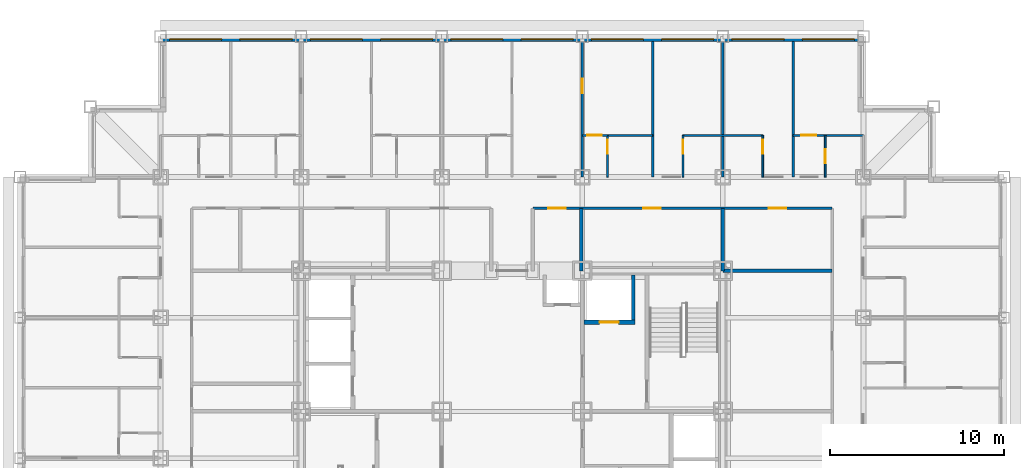
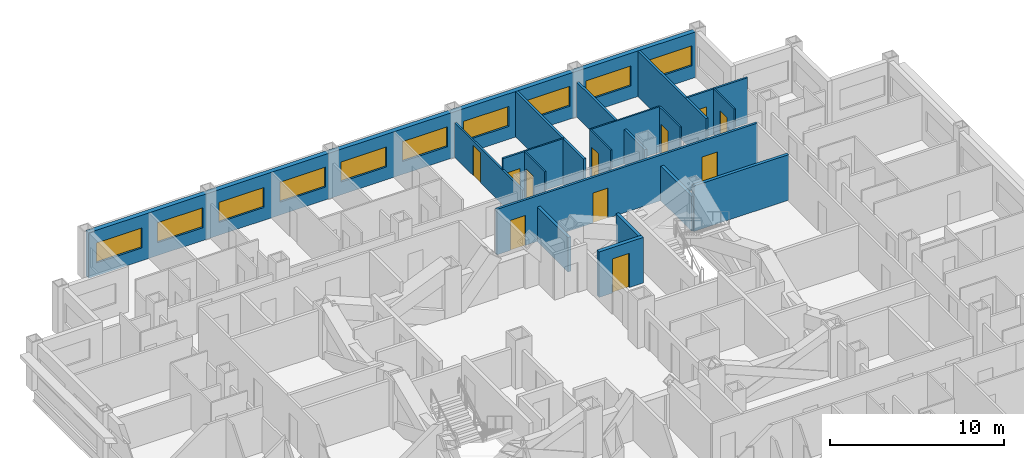
# One storey, part 11 of 14: 19 walls, 11 doors, 10 windows, 21 openings.
"""IFC4 building model written with IfcOpenShell, lengths in metres."""

from ifc_helpers import new_model, si_unit, direction, frame, frame_2d, origin, place, context, subcontext, project, spatial, rectangle, extrude, material, layer, layer_set, type_object, element, fill, save


model = new_model("IFC4")

# Units and contexts
model_context = context("Model", 3, precision=1e-05, world=origin(), true_north=direction((0.0, 1.0)))
body_context = subcontext(model_context, "Body", "Model", "MODEL_VIEW")
ifc_project = project(units=[si_unit("LENGTHUNIT", "METRE"), si_unit("AREAUNIT", "SQUARE_METRE"), si_unit("VOLUMEUNIT", "CUBIC_METRE"), si_unit("PLANEANGLEUNIT", "RADIAN"), si_unit("MASSUNIT", "GRAM", prefix="KILO")], contexts=[model_context])

# Site, building, storey
site_placement = place(None, origin())
site = spatial("IfcSite", under=ifc_project, at=site_placement, CompositionType="ELEMENT")
building_placement = place(site_placement, origin())
building = spatial("IfcBuilding", under=site, at=building_placement, Name="Kopane Lantern Tower", CompositionType="ELEMENT")
storey_placement = place(building_placement, frame((0.0, 0.0, 151.0)))
storey = spatial("IfcBuildingStorey", under=building, at=storey_placement, Name="L39", CompositionType="ELEMENT", Elevation=151.0)

# Wall, opening, door
ifc_material_1 = material(Name="Gypsum board on steel studs", Category="steel")
ifc_layer_1 = layer(ifc_material_1, 0.1201171875)
ifc_layer_set_1 = layer_set([ifc_layer_1], Name="APARTMENT INTERNAL WALL 120")
wall_type_1 = type_object("IfcWallType", Name="APARTMENT INTERNAL WALL 120", PredefinedType="PARTITIONING", material=ifc_layer_set_1)
wall_1_placement = place(storey_placement, frame((32.39990234375, 45.89990234375, 0.0), z_axis=(0.0, 0.0, 1.0), x_axis=(0.0, 1.0, 0.0)))
wall_1 = element("IfcWall", 1, at=wall_1_placement, inside=storey, type_object=wall_type_1, Name="Apartment Internal Wall 120 L39", PredefinedType="PARTITIONING", context=body_context, shape_type="SweptSolid", body=[
    extrude(rectangle(XDim=7.800048828125, YDim=0.1201171875, at=frame_2d((3.89990234375, 0.0))), origin(), (0.0, 0.0, 1.0), 2.420166015625),
])
opening_1_placement = place(wall_1_placement, frame((4.824951171875, 0.0, 0.0)))
opening_1 = element("IfcOpeningElement", 2, at=opening_1_placement, cuts=wall_1, Name="Opening L39-046", PredefinedType="OPENING", context=body_context, shape_type="SweptSolid", body=[
    extrude(rectangle(XDim=0.85009765625, YDim=2.10009765625, at=frame_2d((0.425048828125, 1.050048828125))), frame((0.0, 0.070068359375, 0.0), z_axis=(0.0, -1.0, 0.0), x_axis=(1.0, 0.0, 0.0)), (0.0, 0.0, 1.0), 0.14013671875),
])
ifc_material_2 = material(Name="Timber door set", Category="wood")
door_type_1 = type_object("IfcDoorType", Name="DOOR D4 850x2100", OperationType="SINGLE_SWING_LEFT", PredefinedType="DOOR", material=ifc_material_2)
door_1_placement = place(opening_1_placement, origin())
door_1 = element("IfcDoor", 3, at=door_1_placement, inside=storey, type_object=door_type_1, Name="Door L39-046", OperationType="SINGLE_SWING_RIGHT", OverallHeight=2.10009765625, OverallWidth=0.85009765625, PredefinedType="DOOR", context=body_context, shape_type="SweptSolid", body=[
    extrude(rectangle(XDim=0.85009765625, YDim=2.10009765625, at=frame_2d((0.425048828125, 1.050048828125))), frame((0.0, 0.02490234375, 0.0), z_axis=(0.0, -1.0, 0.0), x_axis=(1.0, 0.0, 0.0)), (0.0, 0.0, 1.0), 0.050048828125),
])
fill(opening_1, door_1)

wall_2_placement = place(storey_placement, frame((44.550048828125, 48.300048828125, 0.0), z_axis=(0.0, 0.0, 1.0), x_axis=(1.0, 0.0, 0.0)))
wall_2 = element("IfcWall", 4, at=wall_2_placement, inside=storey, type_object=wall_type_1, Name="Apartment Internal Wall 120 L39", PredefinedType="PARTITIONING", context=body_context, shape_type="SweptSolid", body=[
    extrude(rectangle(XDim=4.050048828125, YDim=0.1201171875, at=frame_2d((2.02490234375, 0.0))), origin(), (0.0, 0.0, 1.0), 3.18994140625),
])
opening_2_placement = place(wall_2_placement, frame((0.47509765625, 0.0, 0.0)))
opening_2 = element("IfcOpeningElement", 5, at=opening_2_placement, cuts=wall_2, Name="Opening L39-088", PredefinedType="OPENING", context=body_context, shape_type="SweptSolid", body=[
    extrude(rectangle(XDim=0.85009765625, YDim=2.10009765625, at=frame_2d((0.425048828125, 1.050048828125))), frame((0.0, 0.070068359375, 0.0), z_axis=(0.0, -1.0, 0.0), x_axis=(1.0, 0.0, 0.0)), (0.0, 0.0, 1.0), 0.14013671875),
])
door_2_placement = place(opening_2_placement, origin())
door_2 = element("IfcDoor", 6, at=door_2_placement, inside=storey, type_object=door_type_1, Name="Door L39-088", OperationType="SINGLE_SWING_LEFT", OverallHeight=2.10009765625, OverallWidth=0.85009765625, PredefinedType="DOOR", context=body_context, shape_type="SweptSolid", body=[
    extrude(rectangle(XDim=0.85009765625, YDim=2.10009765625, at=frame_2d((0.425048828125, 1.050048828125))), frame((0.0, 0.02490234375, 0.0), z_axis=(0.0, -1.0, 0.0), x_axis=(1.0, 0.0, 0.0)), (0.0, 0.0, 1.0), 0.050048828125),
])
fill(opening_2, door_2)

wall_3_placement = place(storey_placement, frame((32.39990234375, 48.300048828125, 0.0), z_axis=(0.0, 0.0, 1.0), x_axis=(1.0, 0.0, 0.0)))
wall_3 = element("IfcWall", 7, at=wall_3_placement, inside=storey, type_object=wall_type_1, Name="Apartment Internal Wall 120 L39", PredefinedType="PARTITIONING", context=body_context, shape_type="SweptSolid", body=[
    extrude(rectangle(XDim=1.460205078125, YDim=0.1201171875, at=frame_2d((0.72998046875, 0.0))), origin(), (0.0, 0.0, 1.0), 3.18994140625),
])
opening_3_placement = place(wall_3_placement, frame((0.27490234375, 0.0, 0.0)))
opening_3 = element("IfcOpeningElement", 8, at=opening_3_placement, cuts=wall_3, Name="Opening L39-098", PredefinedType="OPENING", context=body_context, shape_type="SweptSolid", body=[
    extrude(rectangle(XDim=0.85009765625, YDim=2.10009765625, at=frame_2d((0.425048828125, 1.050048828125))), frame((0.0, 0.070068359375, 0.0), z_axis=(0.0, -1.0, 0.0), x_axis=(1.0, 0.0, 0.0)), (0.0, 0.0, 1.0), 0.14013671875),
])
door_3_placement = place(opening_3_placement, origin())
door_3 = element("IfcDoor", 9, at=door_3_placement, inside=storey, type_object=door_type_1, Name="Door L39-098", OperationType="SINGLE_SWING_LEFT", OverallHeight=2.10009765625, OverallWidth=0.85009765625, PredefinedType="DOOR", context=body_context, shape_type="SweptSolid", body=[
    extrude(rectangle(XDim=0.85009765625, YDim=2.10009765625, at=frame_2d((0.425048828125, 1.050048828125))), frame((0.0, 0.02490234375, 0.0), z_axis=(0.0, -1.0, 0.0), x_axis=(1.0, 0.0, 0.0)), (0.0, 0.0, 1.0), 0.050048828125),
])
fill(opening_3, door_3)

# Wall
ifc_material_3 = material(Name="Moisture-resistant board on steel studs", Category="steel")
ifc_layer_2 = layer(ifc_material_3, 0.10009765625)
ifc_layer_set_2 = layer_set([ifc_layer_2], Name="BATHROOM WALL 100")
wall_type_2 = type_object("IfcWallType", Name="BATHROOM WALL 100", PredefinedType="PARTITIONING", material=ifc_layer_set_2)
wall_4_placement = place(storey_placement, frame((33.85009765625, 48.300048828125, 0.0), z_axis=(0.0, 0.0, 1.0), x_axis=(1.0, 0.0, 0.0)))
element("IfcWall", 10, at=wall_4_placement, inside=storey, type_object=wall_type_2, Name="Bathroom Wall 100 L39", PredefinedType="PARTITIONING", context=body_context, shape_type="SweptSolid", body=[
    extrude(rectangle(XDim=2.599853515625, YDim=0.10009765625, at=frame_2d((1.2998046875, 0.0))), origin(), (0.0, 0.0, 1.0), 3.18994140625),
])

# Wall, opening, door
wall_5_placement = place(storey_placement, frame((33.85009765625, 45.89990234375, 0.0), z_axis=(0.0, 0.0, 1.0), x_axis=(0.0, 1.0, 0.0)))
wall_5 = element("IfcWall", 11, at=wall_5_placement, inside=storey, type_object=wall_type_2, Name="Bathroom Wall 100 L39", PredefinedType="PARTITIONING", context=body_context, shape_type="SweptSolid", body=[
    extrude(rectangle(XDim=2.400146484375, YDim=0.10009765625, at=frame_2d((1.2001953125, 0.0))), origin(), (0.0, 0.0, 1.0), 3.18994140625),
])
opening_4_placement = place(wall_5_placement, frame((1.35009765625, 0.0, 0.0)))
opening_4 = element("IfcOpeningElement", 12, at=opening_4_placement, cuts=wall_5, Name="Opening L39-045", PredefinedType="OPENING", context=body_context, shape_type="SweptSolid", body=[
    extrude(rectangle(XDim=0.800048828125, YDim=2.10009765625, at=frame_2d((0.39990234375, 1.050048828125))), frame((0.0, 0.06005859375, 0.0), z_axis=(0.0, -1.0, 0.0), x_axis=(1.0, 0.0, 0.0)), (0.0, 0.0, 1.0), 0.1201171875),
])
ifc_material_4 = material(Name="Timber door set", Category="wood")
door_type_2 = type_object("IfcDoorType", Name="DOOR D2 800x2100", OperationType="SINGLE_SWING_LEFT", PredefinedType="DOOR", material=ifc_material_4)
door_4_placement = place(opening_4_placement, origin())
door_4 = element("IfcDoor", 13, at=door_4_placement, inside=storey, type_object=door_type_2, Name="Door L39-045", OperationType="SINGLE_SWING_RIGHT", OverallHeight=2.10009765625, OverallWidth=0.800048828125, PredefinedType="DOOR", context=body_context, shape_type="SweptSolid", body=[
    extrude(rectangle(XDim=0.800048828125, YDim=2.10009765625, at=frame_2d((0.39990234375, 1.050048828125))), frame((0.0, 0.02490234375, 0.0), z_axis=(0.0, -1.0, 0.0), x_axis=(1.0, 0.0, 0.0)), (0.0, 0.0, 1.0), 0.050048828125),
])
fill(opening_4, door_4)

# Wall
wall_6_placement = place(storey_placement, frame((38.199951171875, 48.300048828125, 0.0), z_axis=(0.0, 0.0, 1.0), x_axis=(1.0, 0.0, 0.0)))
element("IfcWall", 14, at=wall_6_placement, inside=storey, type_object=wall_type_2, Name="Bathroom Wall 100 L39", PredefinedType="PARTITIONING", context=body_context, shape_type="SweptSolid", body=[
    extrude(rectangle(XDim=4.60009765625, YDim=0.10009765625, at=frame_2d((2.300048828125, 0.0))), origin(), (0.0, 0.0, 1.0), 3.18994140625),
])

# Wall, opening, door
wall_7_placement = place(storey_placement, frame((38.199951171875, 45.89990234375, 0.0), z_axis=(0.0, 0.0, 1.0), x_axis=(0.0, 1.0, 0.0)))
wall_7 = element("IfcWall", 15, at=wall_7_placement, inside=storey, type_object=wall_type_2, Name="Bathroom Wall 100 L39", PredefinedType="PARTITIONING", context=body_context, shape_type="SweptSolid", body=[
    extrude(rectangle(XDim=2.400146484375, YDim=0.10009765625, at=frame_2d((1.2001953125, 0.0))), origin(), (0.0, 0.0, 1.0), 3.18994140625),
])
opening_5_placement = place(wall_7_placement, frame((1.35009765625, 0.0, 0.0)))
opening_5 = element("IfcOpeningElement", 16, at=opening_5_placement, cuts=wall_7, Name="Opening L39-047", PredefinedType="OPENING", context=body_context, shape_type="SweptSolid", body=[
    extrude(rectangle(XDim=0.800048828125, YDim=2.10009765625, at=frame_2d((0.39990234375, 1.050048828125))), frame((0.0, 0.06005859375, 0.0), z_axis=(0.0, -1.0, 0.0), x_axis=(1.0, 0.0, 0.0)), (0.0, 0.0, 1.0), 0.1201171875),
])
door_5_placement = place(opening_5_placement, origin())
door_5 = element("IfcDoor", 17, at=door_5_placement, inside=storey, type_object=door_type_2, Name="Door L39-047", OperationType="SINGLE_SWING_LEFT", OverallHeight=2.10009765625, OverallWidth=0.800048828125, PredefinedType="DOOR", context=body_context, shape_type="SweptSolid", body=[
    extrude(rectangle(XDim=0.800048828125, YDim=2.10009765625, at=frame_2d((0.39990234375, 1.050048828125))), frame((0.0, 0.02490234375, 0.0), z_axis=(0.0, -1.0, 0.0), x_axis=(1.0, 0.0, 0.0)), (0.0, 0.0, 1.0), 0.050048828125),
])
fill(opening_5, door_5)

wall_8_placement = place(storey_placement, frame((42.800048828125, 45.89990234375, 0.0), z_axis=(0.0, 0.0, 1.0), x_axis=(0.0, 1.0, 0.0)))
wall_8 = element("IfcWall", 18, at=wall_8_placement, inside=storey, type_object=wall_type_2, Name="Bathroom Wall 100 L39", PredefinedType="PARTITIONING", context=body_context, shape_type="SweptSolid", body=[
    extrude(rectangle(XDim=2.400146484375, YDim=0.10009765625, at=frame_2d((1.2001953125, 0.0))), origin(), (0.0, 0.0, 1.0), 3.18994140625),
])
opening_6_placement = place(wall_8_placement, frame((1.35009765625, 0.0, 0.0)))
opening_6 = element("IfcOpeningElement", 19, at=opening_6_placement, cuts=wall_8, Name="Opening L39-049", PredefinedType="OPENING", context=body_context, shape_type="SweptSolid", body=[
    extrude(rectangle(XDim=0.800048828125, YDim=2.10009765625, at=frame_2d((0.39990234375, 1.050048828125))), frame((0.0, 0.06005859375, 0.0), z_axis=(0.0, -1.0, 0.0), x_axis=(1.0, 0.0, 0.0)), (0.0, 0.0, 1.0), 0.1201171875),
])
door_6_placement = place(opening_6_placement, origin())
door_6 = element("IfcDoor", 20, at=door_6_placement, inside=storey, type_object=door_type_2, Name="Door L39-049", OperationType="SINGLE_SWING_RIGHT", OverallHeight=2.10009765625, OverallWidth=0.800048828125, PredefinedType="DOOR", context=body_context, shape_type="SweptSolid", body=[
    extrude(rectangle(XDim=0.800048828125, YDim=2.10009765625, at=frame_2d((0.39990234375, 1.050048828125))), frame((0.0, 0.02490234375, 0.0), z_axis=(0.0, -1.0, 0.0), x_axis=(1.0, 0.0, 0.0)), (0.0, 0.0, 1.0), 0.050048828125),
])
fill(opening_6, door_6)

wall_9_placement = place(storey_placement, frame((46.39990234375, 45.89990234375, 0.0), z_axis=(0.0, 0.0, 1.0), x_axis=(0.0, 1.0, 0.0)))
wall_9 = element("IfcWall", 21, at=wall_9_placement, inside=storey, type_object=wall_type_2, Name="Bathroom Wall 100 L39", PredefinedType="PARTITIONING", context=body_context, shape_type="SweptSolid", body=[
    extrude(rectangle(XDim=2.400146484375, YDim=0.10009765625, at=frame_2d((1.2001953125, 0.0))), origin(), (0.0, 0.0, 1.0), 3.18994140625),
])
opening_7_placement = place(wall_9_placement, frame((0.800048828125, 0.0, 0.0)))
opening_7 = element("IfcOpeningElement", 22, at=opening_7_placement, cuts=wall_9, Name="Opening L39-086", PredefinedType="OPENING", context=body_context, shape_type="SweptSolid", body=[
    extrude(rectangle(XDim=0.800048828125, YDim=2.10009765625, at=frame_2d((0.39990234375, 1.050048828125))), frame((0.0, 0.06005859375, 0.0), z_axis=(0.0, -1.0, 0.0), x_axis=(1.0, 0.0, 0.0)), (0.0, 0.0, 1.0), 0.1201171875),
])
door_7_placement = place(opening_7_placement, origin())
door_7 = element("IfcDoor", 23, at=door_7_placement, inside=storey, type_object=door_type_2, Name="Door L39-086", OperationType="SINGLE_SWING_RIGHT", OverallHeight=2.10009765625, OverallWidth=0.800048828125, PredefinedType="DOOR", context=body_context, shape_type="SweptSolid", body=[
    extrude(rectangle(XDim=0.800048828125, YDim=2.10009765625, at=frame_2d((0.39990234375, 1.050048828125))), frame((0.0, 0.02490234375, 0.0), z_axis=(0.0, -1.0, 0.0), x_axis=(1.0, 0.0, 0.0)), (0.0, 0.0, 1.0), 0.050048828125),
])
fill(opening_7, door_7)

ifc_material_5 = material(Name="Gypsum shaft wall EI 120", Category="gypsum")
ifc_layer_3 = layer(ifc_material_5, 0.25)
ifc_layer_set_3 = layer_set([ifc_layer_3], Name="CORE SHAFT WALL 250 EI 120")
wall_type_3 = type_object("IfcWallType", Name="CORE SHAFT WALL 250 EI 120", PredefinedType="SOLIDWALL", material=ifc_layer_set_3)
wall_10_placement = place(storey_placement, frame((32.5, 37.52490234375, 0.0), z_axis=(0.0, 0.0, 1.0), x_axis=(1.0, 0.0, 0.0)))
wall_10 = element("IfcWall", 24, at=wall_10_placement, inside=storey, type_object=wall_type_3, Name="Core shaft wall L39 YLF2", PredefinedType="SOLIDWALL", context=body_context, shape_type="SweptSolid", body=[
    extrude(rectangle(XDim=2.949951171875, YDim=0.25, at=frame_2d((1.47509765625, 0.0))), origin(), (0.0, 0.0, 1.0), 3.18994140625),
])
opening_8_placement = place(wall_10_placement, frame((0.89990234375, 0.0, 0.0)))
opening_8 = element("IfcOpeningElement", 25, at=opening_8_placement, cuts=wall_10, Name="Opening 39.LD-LF2", PredefinedType="OPENING", context=body_context, shape_type="SweptSolid", body=[
    extrude(rectangle(XDim=1.10009765625, YDim=2.39990234375, at=frame_2d((0.550048828125, 1.199951171875))), frame((0.0, 0.135009765625, 0.0), z_axis=(0.0, -1.0, 0.0), x_axis=(1.0, 0.0, 0.0)), (0.0, 0.0, 1.0), 0.27001953125),
])
ifc_material_6 = material(Name="Steel door set", Category="steel")
door_type_3 = type_object("IfcDoorType", Name="LIFT LANDING DOOR 1100x2400 FD60", OperationType="DOUBLE_DOOR_SLIDING", PredefinedType="DOOR", material=ifc_material_6)
door_8_placement = place(opening_8_placement, origin())
door_8 = element("IfcDoor", 26, at=door_8_placement, inside=storey, type_object=door_type_3, Name="Landing door LF2 L39", OperationType="DOUBLE_DOOR_SLIDING", OverallHeight=2.39990234375, OverallWidth=1.10009765625, PredefinedType="DOOR", context=body_context, shape_type="SweptSolid", body=[
    extrude(rectangle(XDim=1.10009765625, YDim=2.39990234375, at=frame_2d((0.550048828125, 1.199951171875))), frame((0.0, 0.02490234375, 0.0), z_axis=(0.0, -1.0, 0.0), x_axis=(1.0, 0.0, 0.0)), (0.0, 0.0, 1.0), 0.050048828125),
])
fill(opening_8, door_8)

# Wall, openings, doors
ifc_material_7 = material(Name="Gypsum board on steel studs", Category="steel")
ifc_layer_4 = layer(ifc_material_7, 0.14990234375)
ifc_layer_set_4 = layer_set([ifc_layer_4], Name="CORRIDOR WALL 150 EI 60")
wall_type_4 = type_object("IfcWallType", Name="CORRIDOR WALL 150 EI 60", PredefinedType="PARTITIONING", material=ifc_layer_set_4)
wall_11_placement = place(storey_placement, frame((46.800048828125, 44.10009765625, 0.0), z_axis=(0.0, 0.0, 1.0), x_axis=(-1.0, 0.0, 0.0)))
wall_11 = element("IfcWall", 27, at=wall_11_placement, inside=storey, type_object=wall_type_4, Name="Corridor Wall 150 Ei 60 L39", PredefinedType="PARTITIONING", context=body_context, shape_type="SweptSolid", body=[
    extrude(rectangle(XDim=17.239990234375, YDim=0.14990234375, at=frame_2d((8.6201171875, 0.0))), origin(), (0.0, 0.0, 1.0), 3.18994140625),
])
opening_9_placement = place(wall_11_placement, frame((15.361083984375, 0.0, 0.0)))
opening_9 = element("IfcOpeningElement", 28, at=opening_9_placement, cuts=wall_11, Name="Opening L39-020", PredefinedType="OPENING", context=body_context, shape_type="SweptSolid", body=[
    extrude(rectangle(XDim=1.0, YDim=2.10009765625, at=frame_2d((0.5, 1.050048828125))), frame((0.0, 0.0849609375, 0.0), z_axis=(0.0, -1.0, 0.0), x_axis=(1.0, 0.0, 0.0)), (0.0, 0.0, 1.0), 0.169921875),
])
opening_10_placement = place(wall_11_placement, frame((9.885986328125, 0.0, 0.0)))
opening_10 = element("IfcOpeningElement", 29, at=opening_10_placement, cuts=wall_11, Name="Opening L39-021", PredefinedType="OPENING", context=body_context, shape_type="SweptSolid", body=[
    extrude(rectangle(XDim=1.0, YDim=2.10009765625, at=frame_2d((0.5, 1.050048828125))), frame((0.0, 0.0849609375, 0.0), z_axis=(0.0, -1.0, 0.0), x_axis=(1.0, 0.0, 0.0)), (0.0, 0.0, 1.0), 0.169921875),
])
opening_11_placement = place(wall_11_placement, frame((2.64990234375, 0.0, 0.0)))
opening_11 = element("IfcOpeningElement", 30, at=opening_11_placement, cuts=wall_11, Name="Opening L39-022", PredefinedType="OPENING", context=body_context, shape_type="SweptSolid", body=[
    extrude(rectangle(XDim=1.0, YDim=2.10009765625, at=frame_2d((0.5, 1.050048828125))), frame((0.0, 0.0849609375, 0.0), z_axis=(0.0, -1.0, 0.0), x_axis=(1.0, 0.0, 0.0)), (0.0, 0.0, 1.0), 0.169921875),
])
ifc_material_8 = material(Name="Steel door set", Category="steel")
door_type_4 = type_object("IfcDoorType", Name="DOOR D5 1000x2100 FD60", OperationType="SINGLE_SWING_LEFT", PredefinedType="DOOR", material=ifc_material_8)
door_9_placement = place(opening_9_placement, origin())
door_9 = element("IfcDoor", 31, at=door_9_placement, inside=storey, type_object=door_type_4, Name="Door L39-020", OperationType="SINGLE_SWING_LEFT", OverallHeight=2.10009765625, OverallWidth=1.0, PredefinedType="DOOR", context=body_context, shape_type="SweptSolid", body=[
    extrude(rectangle(XDim=1.0, YDim=2.10009765625, at=frame_2d((0.5, 1.050048828125))), frame((0.0, 0.02490234375, 0.0), z_axis=(0.0, -1.0, 0.0), x_axis=(1.0, 0.0, 0.0)), (0.0, 0.0, 1.0), 0.050048828125),
])
fill(opening_9, door_9)
door_10_placement = place(opening_10_placement, origin())
door_10 = element("IfcDoor", 32, at=door_10_placement, inside=storey, type_object=door_type_4, Name="Door L39-021", OperationType="SINGLE_SWING_RIGHT", OverallHeight=2.10009765625, OverallWidth=1.0, PredefinedType="DOOR", context=body_context, shape_type="SweptSolid", body=[
    extrude(rectangle(XDim=1.0, YDim=2.10009765625, at=frame_2d((0.5, 1.050048828125))), frame((0.0, 0.02490234375, 0.0), z_axis=(0.0, -1.0, 0.0), x_axis=(1.0, 0.0, 0.0)), (0.0, 0.0, 1.0), 0.050048828125),
])
fill(opening_10, door_10)
door_11_placement = place(opening_11_placement, origin())
door_11 = element("IfcDoor", 33, at=door_11_placement, inside=storey, type_object=door_type_4, Name="Door L39-022", OperationType="SINGLE_SWING_LEFT", OverallHeight=2.10009765625, OverallWidth=1.0, PredefinedType="DOOR", context=body_context, shape_type="SweptSolid", body=[
    extrude(rectangle(XDim=1.0, YDim=2.10009765625, at=frame_2d((0.5, 1.050048828125))), frame((0.0, 0.02490234375, 0.0), z_axis=(0.0, -1.0, 0.0), x_axis=(1.0, 0.0, 0.0)), (0.0, 0.0, 1.0), 0.050048828125),
])
fill(opening_11, door_11)

# Walls
ifc_material_9 = material(Name="Gypsum board on steel studs", Category="steel")
ifc_layer_5 = layer(ifc_material_9, 0.14990234375)
ifc_layer_set_5 = layer_set([ifc_layer_5], Name="DEMISING WALL 150 EI 60")
wall_type_5 = type_object("IfcWallType", Name="DEMISING WALL 150 EI 60", PredefinedType="PARTITIONING", material=ifc_layer_set_5)
wall_12_placement = place(storey_placement, frame((36.449951171875, 45.89990234375, 0.0), z_axis=(0.0, 0.0, 1.0), x_axis=(0.0, 1.0, 0.0)))
element("IfcWall", 34, at=wall_12_placement, inside=storey, type_object=wall_type_5, Name="Demising Wall 150 Ei 60 L39", PredefinedType="PARTITIONING", context=body_context, shape_type="SweptSolid", body=[
    extrude(rectangle(XDim=7.800048828125, YDim=0.14990234375, at=frame_2d((3.89990234375, 0.0))), origin(), (0.0, 0.0, 1.0), 3.18994140625),
])
wall_13_placement = place(storey_placement, frame((40.5, 45.89990234375, 0.0), z_axis=(0.0, 0.0, 1.0), x_axis=(0.0, 1.0, 0.0)))
element("IfcWall", 35, at=wall_13_placement, inside=storey, type_object=wall_type_5, Name="Demising Wall 150 Ei 60 L39", PredefinedType="PARTITIONING", context=body_context, shape_type="SweptSolid", body=[
    extrude(rectangle(XDim=7.800048828125, YDim=0.14990234375, at=frame_2d((3.89990234375, 0.0))), origin(), (0.0, 0.0, 1.0), 2.420166015625),
])
wall_14_placement = place(storey_placement, frame((44.550048828125, 45.89990234375, 0.0), z_axis=(0.0, 0.0, 1.0), x_axis=(0.0, 1.0, 0.0)))
element("IfcWall", 36, at=wall_14_placement, inside=storey, type_object=wall_type_5, Name="Demising Wall 150 Ei 60 L39", PredefinedType="PARTITIONING", context=body_context, shape_type="SweptSolid", body=[
    extrude(rectangle(XDim=7.800048828125, YDim=0.14990234375, at=frame_2d((3.89990234375, 0.0))), origin(), (0.0, 0.0, 1.0), 3.18994140625),
])

# Wall, openings, windows
ifc_material_10 = material(Name="Terracotta rainscreen on light steel framing", Category="masonry")
ifc_layer_6 = layer(ifc_material_10, 0.300048828125)
ifc_layer_set_6 = layer_set([ifc_layer_6], Name="EXTERNAL WALL EW1 300 TERRACOTTA")
wall_type_6 = type_object("IfcWallType", Name="EXTERNAL WALL EW1 300 TERRACOTTA", PredefinedType="SOLIDWALL", material=ifc_layer_set_6)
wall_15_placement = place(storey_placement, frame((48.300048828125, 53.85009765625, 0.0), z_axis=(0.0, 0.0, 1.0), x_axis=(-1.0, 0.0, 0.0)))
wall_15 = element("IfcWall", 37, at=wall_15_placement, inside=storey, type_object=wall_type_6, Name="External wall N L39", PredefinedType="SOLIDWALL", context=body_context, shape_type="SweptSolid", body=[
    extrude(rectangle(XDim=40.199951171875, YDim=0.300048828125, at=frame_2d((20.10009765625, 0.0))), origin(), (0.0, 0.0, 1.0), 3.18994140625),
])
opening_12_placement = place(wall_15_placement, frame((0.22509765625, 0.0, 0.89990234375)))
opening_12 = element("IfcOpeningElement", 38, at=opening_12_placement, cuts=wall_15, Name="Opening WR300140", PredefinedType="OPENING", context=body_context, shape_type="SweptSolid", body=[
    extrude(rectangle(XDim=3.0, YDim=1.39990234375, at=frame_2d((1.5, 0.699951171875))), frame((0.0, 0.159912109375, 0.0), z_axis=(0.0, -1.0, 0.0), x_axis=(1.0, 0.0, 0.0)), (0.0, 0.0, 1.0), 0.320068359375),
])
opening_13_placement = place(wall_15_placement, frame((4.27490234375, 0.0, 0.89990234375)))
opening_13 = element("IfcOpeningElement", 39, at=opening_13_placement, cuts=wall_15, Name="Opening WR300140", PredefinedType="OPENING", context=body_context, shape_type="SweptSolid", body=[
    extrude(rectangle(XDim=3.0, YDim=1.39990234375, at=frame_2d((1.5, 0.699951171875))), frame((0.0, 0.159912109375, 0.0), z_axis=(0.0, -1.0, 0.0), x_axis=(1.0, 0.0, 0.0)), (0.0, 0.0, 1.0), 0.320068359375),
])
opening_14_placement = place(wall_15_placement, frame((8.324951171875, 0.0, 0.89990234375)))
opening_14 = element("IfcOpeningElement", 40, at=opening_14_placement, cuts=wall_15, Name="Opening WR300140", PredefinedType="OPENING", context=body_context, shape_type="SweptSolid", body=[
    extrude(rectangle(XDim=3.0, YDim=1.39990234375, at=frame_2d((1.5, 0.699951171875))), frame((0.0, 0.159912109375, 0.0), z_axis=(0.0, -1.0, 0.0), x_axis=(1.0, 0.0, 0.0)), (0.0, 0.0, 1.0), 0.320068359375),
])
opening_15_placement = place(wall_15_placement, frame((12.375, 0.0, 0.89990234375)))
opening_15 = element("IfcOpeningElement", 41, at=opening_15_placement, cuts=wall_15, Name="Opening WR300140", PredefinedType="OPENING", context=body_context, shape_type="SweptSolid", body=[
    extrude(rectangle(XDim=3.0, YDim=1.39990234375, at=frame_2d((1.5, 0.699951171875))), frame((0.0, 0.159912109375, 0.0), z_axis=(0.0, -1.0, 0.0), x_axis=(1.0, 0.0, 0.0)), (0.0, 0.0, 1.0), 0.320068359375),
])
opening_16_placement = place(wall_15_placement, frame((16.425048828125, 0.0, 0.89990234375)))
opening_16 = element("IfcOpeningElement", 42, at=opening_16_placement, cuts=wall_15, Name="Opening WR300140", PredefinedType="OPENING", context=body_context, shape_type="SweptSolid", body=[
    extrude(rectangle(XDim=3.0, YDim=1.39990234375, at=frame_2d((1.5, 0.699951171875))), frame((0.0, 0.159912109375, 0.0), z_axis=(0.0, -1.0, 0.0), x_axis=(1.0, 0.0, 0.0)), (0.0, 0.0, 1.0), 0.320068359375),
])
opening_17_placement = place(wall_15_placement, frame((20.47509765625, 0.0, 0.89990234375)))
opening_17 = element("IfcOpeningElement", 43, at=opening_17_placement, cuts=wall_15, Name="Opening WR300140", PredefinedType="OPENING", context=body_context, shape_type="SweptSolid", body=[
    extrude(rectangle(XDim=3.0, YDim=1.39990234375, at=frame_2d((1.5, 0.699951171875))), frame((0.0, 0.159912109375, 0.0), z_axis=(0.0, -1.0, 0.0), x_axis=(1.0, 0.0, 0.0)), (0.0, 0.0, 1.0), 0.320068359375),
])
opening_18_placement = place(wall_15_placement, frame((24.52490234375, 0.0, 0.89990234375)))
opening_18 = element("IfcOpeningElement", 44, at=opening_18_placement, cuts=wall_15, Name="Opening WR300140", PredefinedType="OPENING", context=body_context, shape_type="SweptSolid", body=[
    extrude(rectangle(XDim=3.0, YDim=1.39990234375, at=frame_2d((1.5, 0.699951171875))), frame((0.0, 0.159912109375, 0.0), z_axis=(0.0, -1.0, 0.0), x_axis=(1.0, 0.0, 0.0)), (0.0, 0.0, 1.0), 0.320068359375),
])
opening_19_placement = place(wall_15_placement, frame((28.574951171875, 0.0, 0.89990234375)))
opening_19 = element("IfcOpeningElement", 45, at=opening_19_placement, cuts=wall_15, Name="Opening WR300140", PredefinedType="OPENING", context=body_context, shape_type="SweptSolid", body=[
    extrude(rectangle(XDim=3.0, YDim=1.39990234375, at=frame_2d((1.5, 0.699951171875))), frame((0.0, 0.159912109375, 0.0), z_axis=(0.0, -1.0, 0.0), x_axis=(1.0, 0.0, 0.0)), (0.0, 0.0, 1.0), 0.320068359375),
])
opening_20_placement = place(wall_15_placement, frame((32.625, 0.0, 0.89990234375)))
opening_20 = element("IfcOpeningElement", 46, at=opening_20_placement, cuts=wall_15, Name="Opening WR300140", PredefinedType="OPENING", context=body_context, shape_type="SweptSolid", body=[
    extrude(rectangle(XDim=3.0, YDim=1.39990234375, at=frame_2d((1.5, 0.699951171875))), frame((0.0, 0.159912109375, 0.0), z_axis=(0.0, -1.0, 0.0), x_axis=(1.0, 0.0, 0.0)), (0.0, 0.0, 1.0), 0.320068359375),
])
opening_21_placement = place(wall_15_placement, frame((36.675048828125, 0.0, 0.89990234375)))
opening_21 = element("IfcOpeningElement", 47, at=opening_21_placement, cuts=wall_15, Name="Opening WR300140", PredefinedType="OPENING", context=body_context, shape_type="SweptSolid", body=[
    extrude(rectangle(XDim=3.0, YDim=1.39990234375, at=frame_2d((1.5, 0.699951171875))), frame((0.0, 0.159912109375, 0.0), z_axis=(0.0, -1.0, 0.0), x_axis=(1.0, 0.0, 0.0)), (0.0, 0.0, 1.0), 0.320068359375),
])
ifc_material_11 = material(Name="Aluminium and clear glass", Category="aluminium")
window_type = type_object("IfcWindowType", Name="RIBBON WINDOW WR300140 3000x1400", PartitioningType="SINGLE_PANEL", PredefinedType="WINDOW", material=ifc_material_11)
window_1_placement = place(opening_12_placement, origin())
window_1 = element("IfcWindow", 48, at=window_1_placement, inside=storey, type_object=window_type, Name="Window N L39", OverallHeight=1.39990234375, OverallWidth=3.0, PartitioningType="SINGLE_PANEL", PredefinedType="WINDOW", context=body_context, shape_type="SweptSolid", body=[
    extrude(rectangle(XDim=3.0, YDim=1.39990234375, at=frame_2d((1.5, 0.699951171875))), frame((0.0, 0.030029296875, 0.0), z_axis=(0.0, -1.0, 0.0), x_axis=(1.0, 0.0, 0.0)), (0.0, 0.0, 1.0), 0.06005859375),
])
fill(opening_12, window_1)
window_2_placement = place(opening_13_placement, origin())
window_2 = element("IfcWindow", 49, at=window_2_placement, inside=storey, type_object=window_type, Name="Window N L39", OverallHeight=1.39990234375, OverallWidth=3.0, PartitioningType="SINGLE_PANEL", PredefinedType="WINDOW", context=body_context, shape_type="SweptSolid", body=[
    extrude(rectangle(XDim=3.0, YDim=1.39990234375, at=frame_2d((1.5, 0.699951171875))), frame((0.0, 0.030029296875, 0.0), z_axis=(0.0, -1.0, 0.0), x_axis=(1.0, 0.0, 0.0)), (0.0, 0.0, 1.0), 0.06005859375),
])
fill(opening_13, window_2)
window_3_placement = place(opening_14_placement, origin())
window_3 = element("IfcWindow", 50, at=window_3_placement, inside=storey, type_object=window_type, Name="Window N L39", OverallHeight=1.39990234375, OverallWidth=3.0, PartitioningType="SINGLE_PANEL", PredefinedType="WINDOW", context=body_context, shape_type="SweptSolid", body=[
    extrude(rectangle(XDim=3.0, YDim=1.39990234375, at=frame_2d((1.5, 0.699951171875))), frame((0.0, 0.030029296875, 0.0), z_axis=(0.0, -1.0, 0.0), x_axis=(1.0, 0.0, 0.0)), (0.0, 0.0, 1.0), 0.06005859375),
])
fill(opening_14, window_3)
window_4_placement = place(opening_15_placement, origin())
window_4 = element("IfcWindow", 51, at=window_4_placement, inside=storey, type_object=window_type, Name="Window N L39", OverallHeight=1.39990234375, OverallWidth=3.0, PartitioningType="SINGLE_PANEL", PredefinedType="WINDOW", context=body_context, shape_type="SweptSolid", body=[
    extrude(rectangle(XDim=3.0, YDim=1.39990234375, at=frame_2d((1.5, 0.699951171875))), frame((0.0, 0.030029296875, 0.0), z_axis=(0.0, -1.0, 0.0), x_axis=(1.0, 0.0, 0.0)), (0.0, 0.0, 1.0), 0.06005859375),
])
fill(opening_15, window_4)
window_5_placement = place(opening_16_placement, origin())
window_5 = element("IfcWindow", 52, at=window_5_placement, inside=storey, type_object=window_type, Name="Window N L39", OverallHeight=1.39990234375, OverallWidth=3.0, PartitioningType="SINGLE_PANEL", PredefinedType="WINDOW", context=body_context, shape_type="SweptSolid", body=[
    extrude(rectangle(XDim=3.0, YDim=1.39990234375, at=frame_2d((1.5, 0.699951171875))), frame((0.0, 0.030029296875, 0.0), z_axis=(0.0, -1.0, 0.0), x_axis=(1.0, 0.0, 0.0)), (0.0, 0.0, 1.0), 0.06005859375),
])
fill(opening_16, window_5)
window_6_placement = place(opening_17_placement, origin())
window_6 = element("IfcWindow", 53, at=window_6_placement, inside=storey, type_object=window_type, Name="Window N L39", OverallHeight=1.39990234375, OverallWidth=3.0, PartitioningType="SINGLE_PANEL", PredefinedType="WINDOW", context=body_context, shape_type="SweptSolid", body=[
    extrude(rectangle(XDim=3.0, YDim=1.39990234375, at=frame_2d((1.5, 0.699951171875))), frame((0.0, 0.030029296875, 0.0), z_axis=(0.0, -1.0, 0.0), x_axis=(1.0, 0.0, 0.0)), (0.0, 0.0, 1.0), 0.06005859375),
])
fill(opening_17, window_6)
window_7_placement = place(opening_18_placement, origin())
window_7 = element("IfcWindow", 54, at=window_7_placement, inside=storey, type_object=window_type, Name="Window N L39", OverallHeight=1.39990234375, OverallWidth=3.0, PartitioningType="SINGLE_PANEL", PredefinedType="WINDOW", context=body_context, shape_type="SweptSolid", body=[
    extrude(rectangle(XDim=3.0, YDim=1.39990234375, at=frame_2d((1.5, 0.699951171875))), frame((0.0, 0.030029296875, 0.0), z_axis=(0.0, -1.0, 0.0), x_axis=(1.0, 0.0, 0.0)), (0.0, 0.0, 1.0), 0.06005859375),
])
fill(opening_18, window_7)
window_8_placement = place(opening_19_placement, origin())
window_8 = element("IfcWindow", 55, at=window_8_placement, inside=storey, type_object=window_type, Name="Window N L39", OverallHeight=1.39990234375, OverallWidth=3.0, PartitioningType="SINGLE_PANEL", PredefinedType="WINDOW", context=body_context, shape_type="SweptSolid", body=[
    extrude(rectangle(XDim=3.0, YDim=1.39990234375, at=frame_2d((1.5, 0.699951171875))), frame((0.0, 0.030029296875, 0.0), z_axis=(0.0, -1.0, 0.0), x_axis=(1.0, 0.0, 0.0)), (0.0, 0.0, 1.0), 0.06005859375),
])
fill(opening_19, window_8)
window_9_placement = place(opening_20_placement, origin())
window_9 = element("IfcWindow", 56, at=window_9_placement, inside=storey, type_object=window_type, Name="Window N L39", OverallHeight=1.39990234375, OverallWidth=3.0, PartitioningType="SINGLE_PANEL", PredefinedType="WINDOW", context=body_context, shape_type="SweptSolid", body=[
    extrude(rectangle(XDim=3.0, YDim=1.39990234375, at=frame_2d((1.5, 0.699951171875))), frame((0.0, 0.030029296875, 0.0), z_axis=(0.0, -1.0, 0.0), x_axis=(1.0, 0.0, 0.0)), (0.0, 0.0, 1.0), 0.06005859375),
])
fill(opening_20, window_9)
window_10_placement = place(opening_21_placement, origin())
window_10 = element("IfcWindow", 57, at=window_10_placement, inside=storey, type_object=window_type, Name="Window N L39", OverallHeight=1.39990234375, OverallWidth=3.0, PartitioningType="SINGLE_PANEL", PredefinedType="WINDOW", context=body_context, shape_type="SweptSolid", body=[
    extrude(rectangle(XDim=3.0, YDim=1.39990234375, at=frame_2d((1.5, 0.699951171875))), frame((0.0, 0.030029296875, 0.0), z_axis=(0.0, -1.0, 0.0), x_axis=(1.0, 0.0, 0.0)), (0.0, 0.0, 1.0), 0.06005859375),
])
fill(opening_21, window_10)

# Walls
ifc_material_12 = material(Name="Concrete masonry", Category="masonry")
ifc_layer_7 = layer(ifc_material_12, 0.199951171875)
ifc_layer_set_7 = layer_set([ifc_layer_7], Name="PLANT ROOM WALL 200 EI 120")
wall_type_7 = type_object("IfcWallType", Name="PLANT ROOM WALL 200 EI 120", PredefinedType="SOLIDWALL", material=ifc_layer_set_7)
for number, where, z_axis, x_axis, name in (
    (58, (40.5, 40.5, 0.0), (0.0, 0.0, 1.0), (0.0, 1.0, 0.0), "Plant Room Wall 200 Ei 120 L39"),
    (59, (32.327880859375, 44.10009765625, 0.0), (0.0, 0.0, 1.0), (0.0, -1.0, 0.0), "Plant Room Wall 200 Ei 120 L39"),
):
    element("IfcWall", number, at=place(storey_placement, frame(where, z_axis=z_axis, x_axis=x_axis)), inside=storey, type_object=wall_type_7, Name=name, PredefinedType="SOLIDWALL", context=body_context, shape_type="SweptSolid", body=[
        extrude(rectangle(XDim=3.60009765625, YDim=0.199951171875, at=frame_2d((1.800048828125, 0.0))), origin(), (0.0, 0.0, 1.0), 2.420166015625),
    ])
wall_16_placement = place(storey_placement, frame((40.5, 40.5, 0.0), z_axis=(0.0, 0.0, 1.0), x_axis=(1.0, 0.0, 0.0)))
element("IfcWall", 60, at=wall_16_placement, inside=storey, type_object=wall_type_7, Name="Plant Room Wall 200 Ei 120 L39", PredefinedType="SOLIDWALL", context=body_context, shape_type="SweptSolid", body=[
    extrude(rectangle(XDim=6.300048828125, YDim=0.199951171875, at=frame_2d((3.14990234375, 0.0))), origin(), (0.0, 0.0, 1.0), 3.18994140625),
])
ifc_material_13 = material(Name="Gypsum shaft wall EI 120", Category="gypsum")
ifc_layer_8 = layer(ifc_material_13, 0.199951171875)
ifc_layer_set_8 = layer_set([ifc_layer_8], Name="SHAFT WALL 200 EI 120")
wall_type_8 = type_object("IfcWallType", Name="SHAFT WALL 200 EI 120", PredefinedType="SOLIDWALL", material=ifc_layer_set_8)
wall_17_placement = place(storey_placement, frame((35.35009765625, 37.64990234375, 0.0), z_axis=(0.0, 0.0, 1.0), x_axis=(0.0, 1.0, 0.0)))
element("IfcWall", 61, at=wall_17_placement, inside=storey, type_object=wall_type_8, Name="Core shaft wall L39 XLF2", PredefinedType="SOLIDWALL", context=body_context, shape_type="SweptSolid", body=[
    extrude(rectangle(XDim=2.60009765625, YDim=0.199951171875, at=frame_2d((1.300048828125, 0.0))), origin(), (0.0, 0.0, 1.0), 3.18994140625),
])

save(model, "model.ifc")
